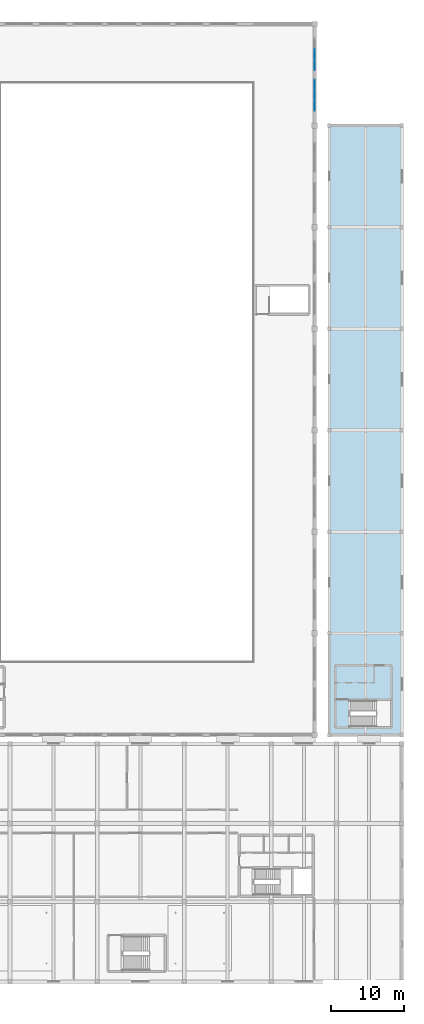
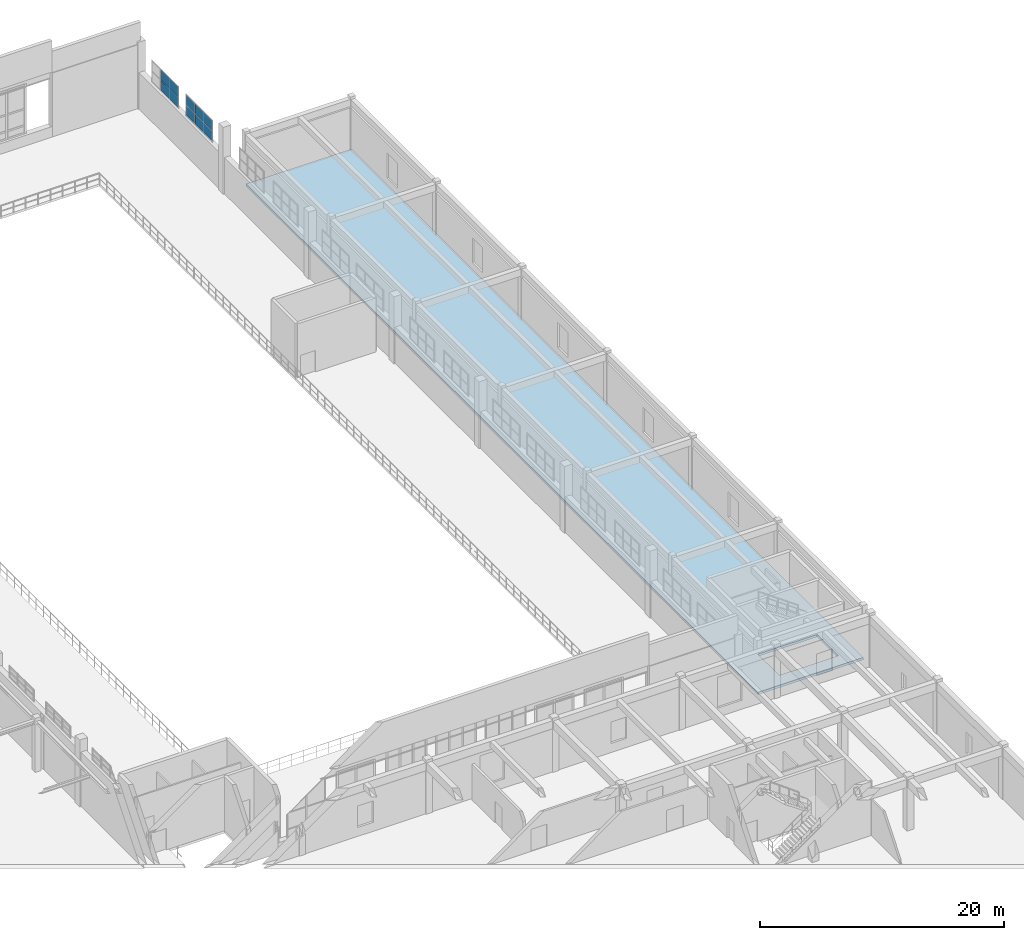
# One storey, part 166 of 197: 10 plates, 1 slab, 2 elements without a shape of their own.
"""IFC4 building model written with IfcOpenShell, lengths in metres."""

import ifcopenshell
import ifcopenshell.guid

model = None  # the IFC model being written
_history = None  # IfcOwnerHistory: only IFC2X3 demands one
_inside = {}  # id of a spatial element -> (the spatial element, [elements in it])
_under = {}  # id of a project, library or spatial element -> (it, [spatial elements below it])
_declared = {}  # id of a project -> (the project, [libraries it declares])
_typed = {}  # id of a type object -> (the type object, [elements of that type])
_made_of = {}  # id of a material, layer set ... -> (it, [elements and type objects made of it])


def new_model(schema):
    """Start an empty IFC model of exactly this schema.

    Asked for "IFC4X3", IfcOpenShell would pick the latest addendum, in which some entities
    have other attributes; the version numbers below select the first issue.
    IFC2X3 requires an IfcOwnerHistory on every rooted entity: one is made here for all.
    """
    global model, _history
    if schema == "IFC4X3":
        model = ifcopenshell.file(schema_version=(4, 3, 0, 0))
    else:
        model = ifcopenshell.file(schema=schema)
    _inside.clear()
    _under.clear()
    _declared.clear()
    _typed.clear()
    _made_of.clear()
    _history = None
    if model.schema == "IFC2X3":
        org = make("IfcOrganization", Name="unknown")
        user = make(
            "IfcPersonAndOrganization",
            ThePerson=make("IfcPerson", FamilyName="unknown"),
            TheOrganization=org,
        )
        app = make(
            "IfcApplication",
            ApplicationDeveloper=org,
            Version="unknown",
            ApplicationFullName="unknown",
            ApplicationIdentifier="unknown",
        )
        _history = make(
            "IfcOwnerHistory",
            OwningUser=user,
            OwningApplication=app,
            ChangeAction="ADDED",
            CreationDate=0,
        )
    return model


def make(cls, **values):
    """One entity of the class cls with the attributes given. An attribute that is None is left unset."""
    return model.create_entity(
        cls, **{name: value for name, value in values.items() if value is not None}
    )


def rooted(cls, **values):
    """An entity with a GlobalId (a new one), such as an element, a storey or a relation."""
    return make(cls, GlobalId=ifcopenshell.guid.new(), OwnerHistory=_history, **values)


def si_unit(unit_type, name, prefix=None):
    """IfcSIUnit, for example si_unit("LENGTHUNIT", "METRE", prefix="MILLI")."""
    return make("IfcSIUnit", UnitType=unit_type, Prefix=prefix, Name=name)


def derived_unit(unit_type, elements):
    """IfcDerivedUnit: a product of units, each with its exponent."""
    return make(
        "IfcDerivedUnit",
        Elements=[
            make("IfcDerivedUnitElement", Unit=unit, Exponent=power)
            for unit, power in elements
        ],
        UnitType=unit_type,
    )


def assignment(units):
    """IfcUnitAssignment: the units of a project."""
    return None if units is None else make("IfcUnitAssignment", Units=units)


def point(xyz):
    """IfcCartesianPoint."""
    return None if xyz is None else make("IfcCartesianPoint", Coordinates=xyz)


def direction(xyz):
    """IfcDirection."""
    return None if xyz is None else make("IfcDirection", DirectionRatios=xyz)


def frame(location, z_axis=None, x_axis=None):
    """IfcAxis2Placement3D, a coordinate frame: its origin and axes. An axis left out is left unset."""
    return make(
        "IfcAxis2Placement3D",
        Location=point(location),
        Axis=direction(z_axis),
        RefDirection=direction(x_axis),
    )


def frame_2d(location, x_axis=None):
    """IfcAxis2Placement2D, a coordinate frame in the plane: its origin and x axis."""
    return make(
        "IfcAxis2Placement2D", Location=point(location), RefDirection=direction(x_axis)
    )


def origin():
    """The frame at (0, 0, 0) with its axes left unset."""
    return frame((0.0, 0.0, 0.0))


def origin_2d():
    """The frame at (0, 0) in the plane with its x axis left unset."""
    return frame_2d((0.0, 0.0))


def place(relative_to, where):
    """IfcLocalPlacement: puts the frame where relative to a parent placement (None: the world)."""
    return make(
        "IfcLocalPlacement", PlacementRelTo=relative_to, RelativePlacement=where
    )


def context(
    kind, dimensions, precision=None, world=None, true_north=None, identifier=None
):
    """IfcGeometricRepresentationContext, for example the 3D "Model" context."""
    return make(
        "IfcGeometricRepresentationContext",
        ContextIdentifier=identifier,
        ContextType=kind,
        CoordinateSpaceDimension=dimensions,
        Precision=precision,
        WorldCoordinateSystem=world,
        TrueNorth=true_north,
    )


def subcontext(parent, identifier, kind, view, scale=None):
    """IfcGeometricRepresentationSubContext, for example "Body" below "Model"."""
    return make(
        "IfcGeometricRepresentationSubContext",
        ContextIdentifier=identifier,
        ContextType=kind,
        ParentContext=parent,
        TargetScale=scale,
        TargetView=view,
    )


def project(units=None, contexts=None):
    """IfcProject with its units and contexts."""
    return rooted(
        "IfcProject",
        Name="project",
        RepresentationContexts=contexts,
        UnitsInContext=assignment(units),
    )


def spatial(cls, under=None, at=None, **own):
    """A site, building, storey or space (cls), placed at a placement, below another one or the project."""
    s = rooted(cls, ObjectPlacement=at, **own)
    if under is not None:
        _under.setdefault(under.id(), (under, []))[1].append(s)
    return s


def polyline(points):
    """IfcPolyline through the points."""
    return make("IfcPolyline", Points=[point(p) for p in points])


def profile(cls, at=None, kind="AREA", **sizes):
    """A parametric profile (cls). Its sizes go by their IFC names, for example OverallWidth=200.0."""
    return make(cls, ProfileType=kind, Position=at, **sizes)


def rectangle(**sizes):
    """IfcRectangleProfileDef."""
    return profile("IfcRectangleProfileDef", **sizes)


def outline(outer, holes=None, kind="AREA"):
    """IfcArbitraryClosedProfileDef: a profile drawn as a closed curve; with holes, ...WithVoids."""
    if holes is None:
        return make("IfcArbitraryClosedProfileDef", ProfileType=kind, OuterCurve=outer)
    return make(
        "IfcArbitraryProfileDefWithVoids",
        ProfileType=kind,
        OuterCurve=outer,
        InnerCurves=holes,
    )


def extrude(swept, where, along, depth):
    """IfcExtrudedAreaSolid: the profile swept, set in the frame where, extruded along a direction by depth."""
    return make(
        "IfcExtrudedAreaSolid",
        SweptArea=swept,
        Position=where,
        ExtrudedDirection=direction(along),
        Depth=depth,
    )


def shape(context_of_items, identifier, shape_type, items):
    """IfcShapeRepresentation: the items that make up one representation, for example the "Body"."""
    return make(
        "IfcShapeRepresentation",
        ContextOfItems=context_of_items,
        RepresentationIdentifier=identifier,
        RepresentationType=shape_type,
        Items=items,
    )


def material(Name=None, Category=None):
    """IfcMaterial."""
    return make("IfcMaterial", Name=Name, Category=Category)


def layer(
    of_material, thickness, ventilated=None, Name=None, Category=None, Priority=None
):
    """IfcMaterialLayer: one layer of a wall or slab, of a material (None: an air gap)."""
    return make(
        "IfcMaterialLayer",
        Material=of_material,
        LayerThickness=thickness,
        IsVentilated=ventilated,
        Name=Name,
        Category=Category,
        Priority=Priority,
    )


def layer_set(layers, Name=None):
    """IfcMaterialLayerSet."""
    return make("IfcMaterialLayerSet", MaterialLayers=layers, LayerSetName=Name)


def made_of(thing, what):
    """Note that an element or type object is made of a material, layer set ...; save() writes the relation."""
    if what is not None:
        _made_of.setdefault(what.id(), (what, []))[1].append(thing)
    return thing


def type_object(cls, material=None, **own):
    """A type object (cls), such as IfcWallType, which elements share."""
    return made_of(rooted(cls, **own), material)


def element(
    cls,
    number,
    at=None,
    inside=None,
    cuts=None,
    type_object=None,
    material=None,
    context=None,
    identifier="Body",
    shape_type=None,
    held_by="IfcProductDefinitionShape",
    body=None,
    shapes=None,
    **own,
):
    """One element of the class cls, such as IfcWall. Its Tag is "e" and its number.

    at: its placement. inside: the storey or other place that contains it. cuts: it is an
    opening in that element (IfcRelVoidsElement). A single representation is given by context,
    identifier, shape_type and body (its items); several are given by shapes. held_by: the class
    of the entity that holds the representations. save() writes the other relations.
    """
    e = rooted(cls, Tag="e%d" % number, ObjectPlacement=at, **own)
    if body is not None:
        shapes = [shape(context, identifier, shape_type, body)]
    if shapes is not None:
        e.Representation = make(held_by, Representations=shapes)
    if inside is not None:
        _inside.setdefault(inside.id(), (inside, []))[1].append(e)
    if cuts is not None:
        rooted(
            "IfcRelVoidsElement", RelatingBuildingElement=cuts, RelatedOpeningElement=e
        )
    if type_object is not None:
        _typed.setdefault(type_object.id(), (type_object, []))[1].append(e)
    return made_of(e, material)


def aggregate(whole, parts):
    """IfcRelAggregates: a whole, such as a stair, and the parts it consists of."""
    return rooted("IfcRelAggregates", RelatingObject=whole, RelatedObjects=parts)


def save(model, path):
    """Write the relations noted so far, then the file.

    IfcRelAggregates (storeys below a building ...), IfcRelContainedInSpatialStructure (elements
    in a storey), IfcRelDefinesByType, IfcRelAssociatesMaterial and IfcRelDeclares: one each for
    every whole, place, type object, material and project.
    """
    for whole, parts in _under.values():
        aggregate(whole, parts)
    for where, things in _inside.values():
        rooted(
            "IfcRelContainedInSpatialStructure",
            RelatedElements=things,
            RelatingStructure=where,
        )
    for kind, things in _typed.values():
        rooted("IfcRelDefinesByType", RelatedObjects=things, RelatingType=kind)
    for what, things in _made_of.values():
        rooted("IfcRelAssociatesMaterial", RelatedObjects=things, RelatingMaterial=what)
    for by, libraries in _declared.values():
        rooted("IfcRelDeclares", RelatingContext=by, RelatedDefinitions=libraries)
    model.write(path)


model = new_model("IFC4")

# Units and contexts
model_context = context("Model", 3, precision=1e-05, world=origin(), true_north=direction((0.0, 1.0)))
body_context = subcontext(model_context, "Body", "Model", "MODEL_VIEW")
ifc_project = project(units=[si_unit("LENGTHUNIT", "METRE"), si_unit("AREAUNIT", "SQUARE_METRE"), si_unit("VOLUMEUNIT", "CUBIC_METRE"), si_unit("PLANEANGLEUNIT", "RADIAN"), si_unit("MASSUNIT", "GRAM", prefix="KILO"), derived_unit("THERMALTRANSMITTANCEUNIT", [(si_unit("POWERUNIT", "WATT"), 1), (si_unit("LENGTHUNIT", "METRE"), -2), (si_unit("THERMODYNAMICTEMPERATUREUNIT", "KELVIN"), -1)])], contexts=[model_context])

# Site, building, storey
site_placement = place(None, origin())
site = spatial("IfcSite", under=ifc_project, at=site_placement, CompositionType="ELEMENT")
building_placement = place(site_placement, origin())
building = spatial("IfcBuilding", under=site, at=building_placement, Name="Almenara Railside Exhibition Hall", CompositionType="ELEMENT")
storey_placement = place(building_placement, frame((0.0, 0.0, 5.39990234375)))
storey = spatial("IfcBuildingStorey", under=building, at=storey_placement, Name="L01", CompositionType="ELEMENT", Elevation=5.39990234375)

# Curtain wall, plates
ifc_material_1 = material(Name="Bronze-anodised aluminium and low-E double glazing", Category="aluminium")
ifc_layer_1 = layer(ifc_material_1, 0.179931640625, Name="Bronze-anodised aluminium and low-E double glazing")
ifc_layer_set_1 = layer_set([ifc_layer_1], Name="Bronze-anodised aluminium and low-E double glazing")
curtain_wall_type = type_object("IfcCurtainWallType", Name="East Hall Clerestory Curtain Wall 4400x2300", PredefinedType="NOTDEFINED", material=ifc_layer_set_1)
curtain_wall_1_placement = place(storey_placement, origin())
curtain_wall_1 = element("IfcCurtainWall", 1, at=curtain_wall_1_placement, inside=storey, type_object=curtain_wall_type, Name="Curtain wall CW-CL3-077", PredefinedType="NOTDEFINED")
ifc_material_2 = material(Name="Clear low-E laminated double glazing", Category="glass")
ifc_layer_2 = layer(ifc_material_2, 0.02392578125, Name="Clear low-E laminated double glazing")
ifc_layer_set_2 = layer_set([ifc_layer_2], Name="Clear low-E laminated double glazing")
plate_type_1 = type_object("IfcPlateType", Name="Courtyard Clear Double Glazing Panel 24mm", PredefinedType="CURTAIN_PANEL", material=ifc_layer_set_2)
plate_1_placement = place(storey_placement, frame((192.0, 120.748291015625, 3.744140625), z_axis=(0.0, 0.0, 1.0), x_axis=(0.0, 1.0, 0.0)))
plate_1 = element("IfcPlate", 2, at=plate_1_placement, type_object=plate_type_1, Name="CW-CL3-077 panel 1.1", PredefinedType="CURTAIN_PANEL", context=body_context, shape_type="SweptSolid", body=[
    extrude(rectangle(XDim=1.392578125, YDim=0.02392578125, at=origin_2d()), origin(), (0.0, 0.0, 1.0), 0.967041015625),
])
plate_2_placement = place(storey_placement, frame((192.0, 120.748291015625, 4.7890625), z_axis=(0.0, 0.0, 1.0), x_axis=(0.0, 1.0, 0.0)))
plate_2 = element("IfcPlate", 3, at=plate_2_placement, type_object=plate_type_1, Name="CW-CL3-077 panel 1.2", PredefinedType="CURTAIN_PANEL", context=body_context, shape_type="SweptSolid", body=[
    extrude(rectangle(XDim=1.392578125, YDim=0.02392578125, at=origin_2d()), origin(), (0.0, 0.0, 1.0), 0.967041015625),
])
plate_3_placement = place(storey_placement, frame((192.0, 122.199951171875, 3.744140625), z_axis=(0.0, 0.0, 1.0), x_axis=(0.0, 1.0, 0.0)))
plate_3 = element("IfcPlate", 4, at=plate_3_placement, type_object=plate_type_1, Name="CW-CL3-077 panel 2.1", PredefinedType="CURTAIN_PANEL", context=body_context, shape_type="SweptSolid", body=[
    extrude(rectangle(XDim=1.422607421875, YDim=0.02392578125, at=origin_2d()), origin(), (0.0, 0.0, 1.0), 0.967041015625),
])
plate_4_placement = place(storey_placement, frame((192.0, 122.199951171875, 4.7890625), z_axis=(0.0, 0.0, 1.0), x_axis=(0.0, 1.0, 0.0)))
plate_4 = element("IfcPlate", 5, at=plate_4_placement, type_object=plate_type_1, Name="CW-CL3-077 panel 2.2", PredefinedType="CURTAIN_PANEL", context=body_context, shape_type="SweptSolid", body=[
    extrude(rectangle(XDim=1.422607421875, YDim=0.02392578125, at=origin_2d()), origin(), (0.0, 0.0, 1.0), 0.967041015625),
])
plate_5_placement = place(storey_placement, frame((192.0, 123.651611328125, 3.744140625), z_axis=(0.0, 0.0, 1.0), x_axis=(0.0, 1.0, 0.0)))
plate_5 = element("IfcPlate", 6, at=plate_5_placement, type_object=plate_type_1, Name="CW-CL3-077 panel 3.1", PredefinedType="CURTAIN_PANEL", context=body_context, shape_type="SweptSolid", body=[
    extrude(rectangle(XDim=1.392578125, YDim=0.02392578125, at=origin_2d()), origin(), (0.0, 0.0, 1.0), 0.967041015625),
])
plate_6_placement = place(storey_placement, frame((192.0, 123.651611328125, 4.7890625), z_axis=(0.0, 0.0, 1.0), x_axis=(0.0, 1.0, 0.0)))
plate_6 = element("IfcPlate", 7, at=plate_6_placement, type_object=plate_type_1, Name="CW-CL3-077 panel 3.2", PredefinedType="CURTAIN_PANEL", context=body_context, shape_type="SweptSolid", body=[
    extrude(rectangle(XDim=1.392578125, YDim=0.02392578125, at=origin_2d()), origin(), (0.0, 0.0, 1.0), 0.967041015625),
])
aggregate(curtain_wall_1, [plate_1, plate_2, plate_3, plate_4, plate_5, plate_6])

# Slab
ifc_material_3 = material(Name="Concrete C35/45", Category="concrete")
ifc_layer_3 = layer(ifc_material_3, 0.235107421875, Name="Concrete C35/45")
ifc_layer_set_3 = layer_set([ifc_layer_3], Name="Concrete C35/45")
slab_type = type_object("IfcSlabType", Name="Gallery Mezzanine Slab 235mm C35/45", PredefinedType="FLOOR", material=ifc_layer_set_3)
slab_placement = place(storey_placement, frame((0.0, 0.0, -0.23486328125)))
element("IfcSlab", 8, at=slab_placement, inside=storey, type_object=slab_type, Name="Congress East L01 slab 017", PredefinedType="FLOOR", context=body_context, shape_type="SweptSolid", body=[
    extrude(outline(polyline([(194.0, 34.0), (204.0, 34.0), (204.0, 118.0), (194.0, 118.0), (194.0, 34.0)]), holes=[polyline([(196.750732421875, 35.25), (202.35009765625, 35.25), (202.35009765625, 38.739990234375), (196.750732421875, 38.739990234375), (196.750732421875, 35.25)])]), origin(), (0.0, 0.0, 1.0), 0.23486328125),
])

# Curtain wall, plates
curtain_wall_2_placement = place(storey_placement, origin())
curtain_wall_2 = element("IfcCurtainWall", 9, at=curtain_wall_2_placement, inside=storey, type_object=curtain_wall_type, Name="Curtain wall CW-CL3-078", PredefinedType="NOTDEFINED")
ifc_material_4 = material(Name="Bronze-anodised insulated aluminium spandrel", Category="aluminium")
ifc_layer_4 = layer(ifc_material_4, 0.0400390625, Name="Bronze-anodised insulated aluminium spandrel")
ifc_layer_set_4 = layer_set([ifc_layer_4], Name="Bronze-anodised insulated aluminium spandrel")
plate_type_2 = type_object("IfcPlateType", Name="Insulated Bronze Spandrel Panel 40mm", PredefinedType="CURTAIN_PANEL", material=ifc_layer_set_4)
plate_7_placement = place(storey_placement, frame((192.0, 126.34716796875, 3.72412109375), z_axis=(0.0, 0.0, 1.0), x_axis=(0.0, 1.0, 0.0)))
plate_7 = element("IfcPlate", 10, at=plate_7_placement, type_object=plate_type_2, Name="CW-CL3-078 panel 1.1", PredefinedType="CURTAIN_PANEL", context=body_context, shape_type="SweptSolid", body=[
    extrude(rectangle(XDim=1.400146484375, YDim=0.0400390625, at=origin_2d()), origin(), (0.0, 0.0, 1.0), 0.9970703125),
])
plate_8_placement = place(storey_placement, frame((192.0, 126.34716796875, 4.779052734375), z_axis=(0.0, 0.0, 1.0), x_axis=(0.0, 1.0, 0.0)))
plate_8 = element("IfcPlate", 11, at=plate_8_placement, type_object=plate_type_2, Name="CW-CL3-078 panel 1.2", PredefinedType="CURTAIN_PANEL", context=body_context, shape_type="SweptSolid", body=[
    extrude(rectangle(XDim=1.400146484375, YDim=0.0400390625, at=origin_2d()), origin(), (0.0, 0.0, 1.0), 0.9970703125),
])
plate_9_placement = place(storey_placement, frame((192.0, 127.800048828125, 3.72412109375), z_axis=(0.0, 0.0, 1.0), x_axis=(0.0, 1.0, 0.0)))
plate_9 = element("IfcPlate", 12, at=plate_9_placement, type_object=plate_type_2, Name="CW-CL3-078 panel 2.1", PredefinedType="CURTAIN_PANEL", context=body_context, shape_type="SweptSolid", body=[
    extrude(rectangle(XDim=1.427734375, YDim=0.0400390625, at=origin_2d()), origin(), (0.0, 0.0, 1.0), 0.9970703125),
])
plate_10_placement = place(storey_placement, frame((192.0, 127.800048828125, 4.779052734375), z_axis=(0.0, 0.0, 1.0), x_axis=(0.0, 1.0, 0.0)))
plate_10 = element("IfcPlate", 13, at=plate_10_placement, type_object=plate_type_2, Name="CW-CL3-078 panel 2.2", PredefinedType="CURTAIN_PANEL", context=body_context, shape_type="SweptSolid", body=[
    extrude(rectangle(XDim=1.427734375, YDim=0.0400390625, at=origin_2d()), origin(), (0.0, 0.0, 1.0), 0.9970703125),
])
aggregate(curtain_wall_2, [plate_7, plate_8, plate_9, plate_10])

save(model, "model.ifc")
